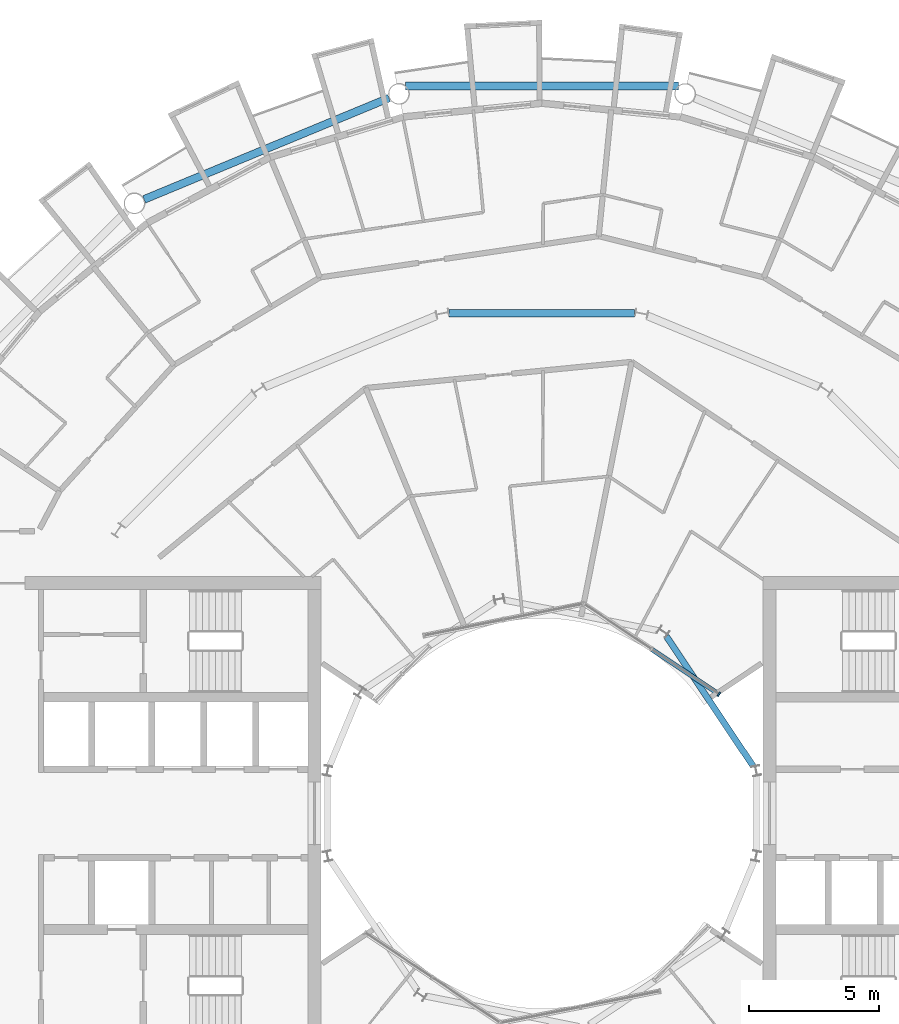
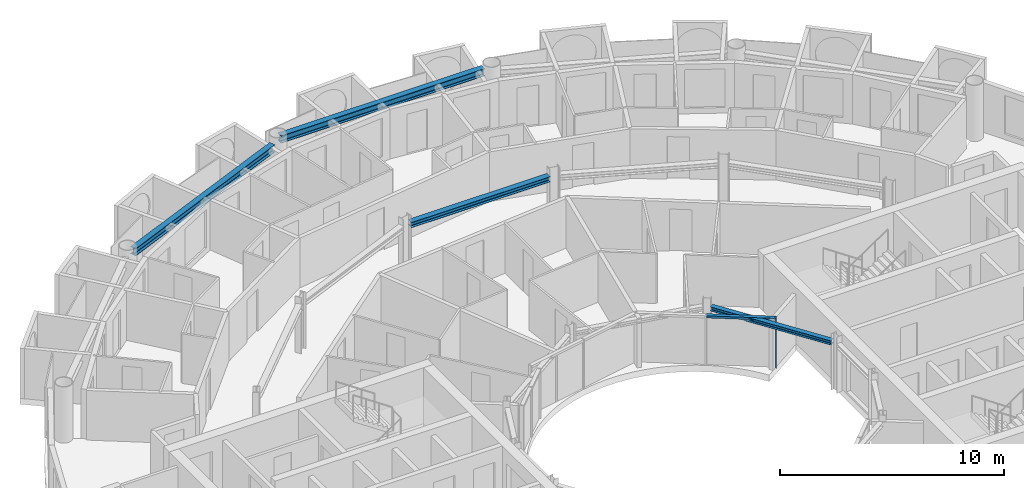
# One storey, part 9 of 27: 4 beams, 2 members, 1 element without a shape of its own.
"""IFC4 building model written with IfcOpenShell, lengths in metres."""

from ifc_helpers import new_model, si_unit, direction, frame, origin, origin_2d, place, context, subcontext, project, spatial, rectangle, i_section, extrude, material, layer, layer_set, material_profile, profile_set, type_object, element, aggregate, save


model = new_model("IFC4")

# Units and contexts
model_context = context("Model", 3, precision=1e-05, world=origin(), true_north=direction((0.0, 1.0)))
body_context = subcontext(model_context, "Body", "Model", "MODEL_VIEW")
ifc_project = project(units=[si_unit("LENGTHUNIT", "METRE"), si_unit("AREAUNIT", "SQUARE_METRE"), si_unit("VOLUMEUNIT", "CUBIC_METRE"), si_unit("PLANEANGLEUNIT", "RADIAN"), si_unit("MASSUNIT", "GRAM", prefix="KILO")], contexts=[model_context])

# Site, building, storey
site_placement = place(None, origin())
site = spatial("IfcSite", under=ifc_project, at=site_placement, CompositionType="ELEMENT")
building_placement = place(site_placement, origin())
building = spatial("IfcBuilding", under=site, at=building_placement, Name="Maasbend Ring Residences", CompositionType="ELEMENT")
storey_placement = place(building_placement, frame((0.0, 0.0, 145.199951171875)))
storey = spatial("IfcBuildingStorey", under=building, at=storey_placement, Name="L41", CompositionType="ELEMENT", Elevation=145.199951171875)

# Curtain wall, members
ifc_material_1 = material(Name="Aluminium and clear glass", Category="aluminium")
ifc_layer = layer(ifc_material_1, 0.179931640625)
ifc_layer_set = layer_set([ifc_layer], Name="CW-W")
curtain_wall_type = type_object("IfcCurtainWallType", Name="CW-W", PredefinedType="NOTDEFINED", material=ifc_layer_set)
curtain_wall_placement = place(storey_placement, origin())
curtain_wall = element("IfcCurtainWall", 1, at=curtain_wall_placement, inside=storey, type_object=curtain_wall_type, Name="Well curtain wall N1", PredefinedType="NOTDEFINED")
ifc_material_2 = material(Name="Aluminium 6063-T6", Category="aluminium")
ifc_material_profile_1 = material_profile(ifc_material_2, rectangle(XDim=0.179931640625, YDim=0.06005859375, at=origin_2d()), Name="AL 180x60")
ifc_profile_set_1 = profile_set([ifc_material_profile_1], Name="Aluminium 6063-T6")
member_type_1 = type_object("IfcMemberType", Name="CWM-W", PredefinedType="MULLION", material=ifc_profile_set_1)
member_1_placement = place(storey_placement, frame((6.805908203125, 4.580810546875, 0.0), z_axis=(0.0, 0.0, 1.0), x_axis=(-0.55557023302, -0.831469612303, 0.0)))
member_1 = element("IfcMember", 2, at=member_1_placement, type_object=member_type_1, Name="Mullion well face", PredefinedType="MULLION", context=body_context, shape_type="SweptSolid", body=[
    extrude(rectangle(XDim=0.179931640625, YDim=0.06005859375, at=origin_2d()), origin(), (0.0, 0.0, 1.0), 2.699951171875),
])
ifc_material_3 = material(Name="Aluminium 6063-T6", Category="aluminium")
ifc_material_profile_2 = material_profile(ifc_material_3, rectangle(XDim=0.179931640625, YDim=0.1201171875, at=origin_2d()), Name="AL 180x120")
ifc_profile_set_2 = profile_set([ifc_material_profile_2], Name="Aluminium 6063-T6")
member_type_2 = type_object("IfcMemberType", Name="CWT-W", PredefinedType="USERDEFINED", material=ifc_profile_set_2)
member_2_placement = place(storey_placement, frame((6.781005859375, 4.59765625, 2.64013671875), z_axis=(-0.831496422459, 0.555530106689, 0.0), x_axis=(-0.555530106689, -0.831496422459, 0.0)))
member_2 = element("IfcMember", 3, at=member_2_placement, type_object=member_type_2, Name="Transom well face", ObjectType="TRANSOM", PredefinedType="USERDEFINED", context=body_context, shape_type="SweptSolid", body=[
    extrude(rectangle(XDim=0.179931640625, YDim=0.1201171875, at=origin_2d()), origin(), (0.0, 0.0, 1.0), 3.053955078125),
])
aggregate(curtain_wall, [member_1, member_2])

# Beams
ifc_material_4 = material(Name="Steel S355J2", Category="steel")
ifc_material_profile_3 = material_profile(ifc_material_4, i_section(OverallWidth=0.300048828125, OverallDepth=0.2900390625, WebThickness=0.008544921875, FlangeThickness=0.013916015625, FilletRadius=0.027099609375, at=origin_2d()), Name="HEA 300")
ifc_profile_set_3 = profile_set([ifc_material_profile_3], Name="Steel S355J2")
beam_type_1 = type_object("IfcBeamType", Name="Corridor ring beam HEA 300", PredefinedType="BEAM", material=ifc_profile_set_3)
beam_1_placement = place(storey_placement, frame((3.56884765625, 19.223388671875, 2.554931640625), z_axis=(-1.0, 0.0, 0.0), x_axis=(0.0, -1.0, 0.0)))
element("IfcBeam", 4, at=beam_1_placement, inside=storey, type_object=beam_type_1, Name="Corridor ring beam", PredefinedType="BEAM", context=body_context, shape_type="SweptSolid", body=[
    extrude(i_section(OverallWidth=0.300048828125, OverallDepth=0.2900390625, WebThickness=0.008544921875, FlangeThickness=0.013916015625, FilletRadius=0.027099609375, at=origin_2d()), origin(), (0.0, 0.0, 1.0), 7.1376953125),
])
ifc_material_5 = material(Name="Steel S355J2", Category="steel")
ifc_material_profile_4 = material_profile(ifc_material_5, i_section(OverallWidth=0.300048828125, OverallDepth=0.39990234375, WebThickness=0.013427734375, FlangeThickness=0.02392578125, FilletRadius=0.027099609375, at=origin_2d()), Name="HEB 400")
ifc_profile_set_4 = profile_set([ifc_material_profile_4], Name="Steel S355J2")
beam_type_2 = type_object("IfcBeamType", Name="Spandrel ring beam HEB 400", PredefinedType="SPANDREL", material=ifc_profile_set_4)
beam_2_placement = place(storey_placement, frame((5.2451171875, 27.9580078125, 2.5), z_axis=(-1.0, 0.0, 0.0), x_axis=(0.0, -1.0, 0.0)))
element("IfcBeam", 5, at=beam_2_placement, inside=storey, type_object=beam_type_2, Name="Spandrel ring beam", PredefinedType="SPANDREL", context=body_context, shape_type="SweptSolid", body=[
    extrude(i_section(OverallWidth=0.300048828125, OverallDepth=0.39990234375, WebThickness=0.013427734375, FlangeThickness=0.02392578125, FilletRadius=0.027099609375, at=origin_2d()), origin(), (0.0, 0.0, 1.0), 10.490234375),
])
beam_3_placement = place(storey_placement, frame((-5.877197265625, 27.50244140625, 2.5), z_axis=(-0.923883676188, -0.382673428492, 0.0), x_axis=(0.382673428492, -0.923883676188, 0.0)))
element("IfcBeam", 6, at=beam_3_placement, inside=storey, type_object=beam_type_2, Name="Spandrel ring beam", PredefinedType="SPANDREL", context=body_context, shape_type="SweptSolid", body=[
    extrude(i_section(OverallWidth=0.300048828125, OverallDepth=0.39990234375, WebThickness=0.013427734375, FlangeThickness=0.02392578125, FilletRadius=0.027099609375, at=origin_2d()), origin(), (0.0, 0.0, 1.0), 10.18994140625),
])
ifc_material_6 = material(Name="Steel S355J2", Category="steel")
ifc_material_profile_5 = material_profile(ifc_material_6, i_section(OverallWidth=0.239990234375, OverallDepth=0.22998046875, WebThickness=0.007568359375, FlangeThickness=0.011962890625, FilletRadius=0.02099609375, at=origin_2d()), Name="HEA 240")
ifc_profile_set_5 = profile_set([ifc_material_profile_5], Name="Steel S355J2")
beam_type_3 = type_object("IfcBeamType", Name="Well edge beam HEA 240", PredefinedType="BEAM", material=ifc_profile_set_5)
beam_4_placement = place(storey_placement, frame((8.121337890625, 1.814208984375, 2.5849609375), z_axis=(-0.555553413909, 0.831480850227, 0.0), x_axis=(-0.831480850227, -0.555553413909, 0.0)))
element("IfcBeam", 7, at=beam_4_placement, inside=storey, type_object=beam_type_3, Name="Well edge beam", PredefinedType="BEAM", context=body_context, shape_type="SweptSolid", body=[
    extrude(i_section(OverallWidth=0.239990234375, OverallDepth=0.22998046875, WebThickness=0.007568359375, FlangeThickness=0.011962890625, FilletRadius=0.02099609375, at=origin_2d()), origin(), (0.0, 0.0, 1.0), 6.0068359375),
])

save(model, "model.ifc")
